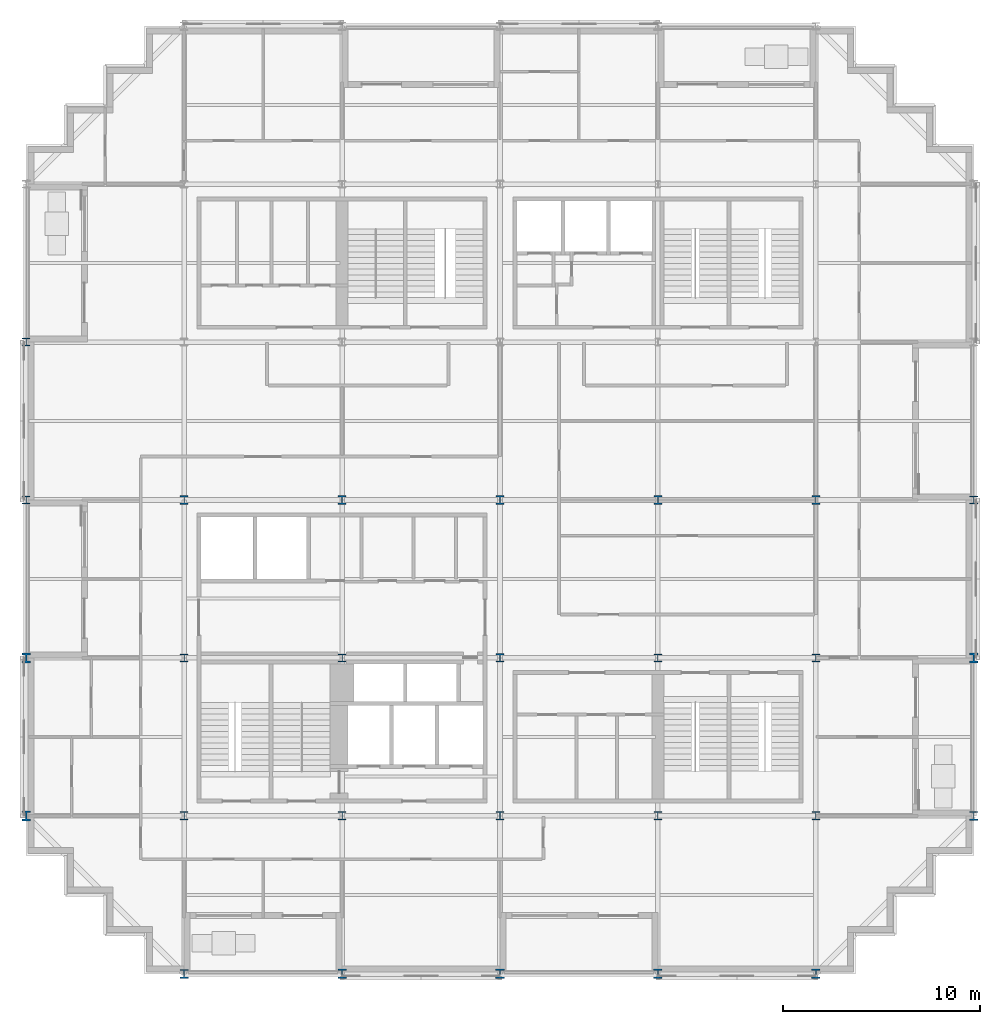
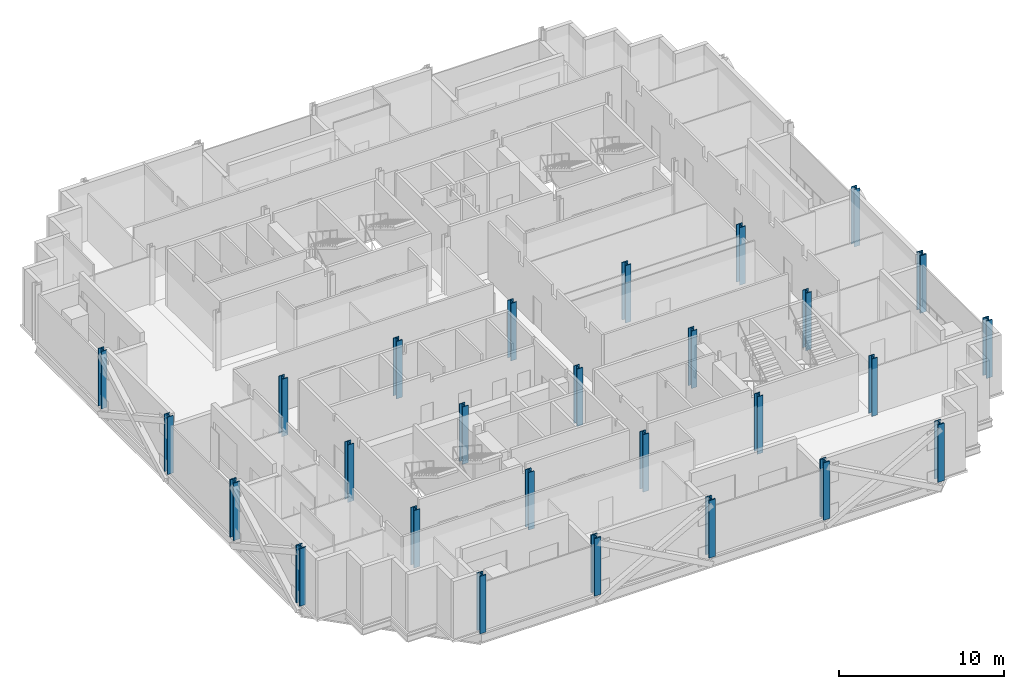
# One storey, part 1 of 15: 27 columns.
"""IFC4 building model written with IfcOpenShell, lengths in metres."""

from ifc_helpers import new_model, si_unit, direction, frame, origin, origin_2d, place, context, subcontext, project, spatial, i_section, extrude, material, material_profile, profile_set, type_object, element, save


model = new_model("IFC4")

# Units and contexts
model_context = context("Model", 3, precision=1e-05, world=origin(), true_north=direction((0.0, 1.0)))
body_context = subcontext(model_context, "Body", "Model", "MODEL_VIEW")
ifc_project = project(units=[si_unit("LENGTHUNIT", "METRE"), si_unit("AREAUNIT", "SQUARE_METRE"), si_unit("VOLUMEUNIT", "CUBIC_METRE"), si_unit("PLANEANGLEUNIT", "RADIAN"), si_unit("MASSUNIT", "GRAM", prefix="KILO")], contexts=[model_context])

# Site, building, storey
site_placement = place(None, origin())
site = spatial("IfcSite", under=ifc_project, at=site_placement, CompositionType="ELEMENT")
building_placement = place(site_placement, origin())
building = spatial("IfcBuilding", under=site, at=building_placement, Name="Immortelle Media Tower", CompositionType="ELEMENT")
storey_placement = place(building_placement, frame((0.0, 0.0, 100.800048828125)))
storey = spatial("IfcBuildingStorey", under=building, at=storey_placement, Name="L19", CompositionType="ELEMENT", Elevation=100.800048828125)

# Columns
ifc_material = material(Name="Steel ASTM A992 Gr 50", Category="steel")
ifc_material_profile_1 = material_profile(ifc_material, i_section(OverallWidth=0.39892578125, OverallDepth=0.385986328125, WebThickness=0.02099609375, FlangeThickness=0.032958984375, at=origin_2d()), Name="W14x176")
ifc_profile_set_1 = profile_set([ifc_material_profile_1], Name="Steel ASTM A992 Gr 50")
column_type_1 = type_object("IfcColumnType", Name="W14x176 column", PredefinedType="COLUMN", material=ifc_profile_set_1)
column_placement = place(storey_placement, frame((48.0, 24.0, 0.0), z_axis=(0.0, 0.0, 1.0), x_axis=(1.0, 0.0, 0.0)))
element("IfcColumn", 1, at=column_placement, inside=storey, type_object=column_type_1, Name="Column 7/D", PredefinedType="COLUMN", context=body_context, shape_type="SweptSolid", body=[
    extrude(i_section(OverallWidth=0.39892578125, OverallDepth=0.385986328125, WebThickness=0.02099609375, FlangeThickness=0.032958984375, at=origin_2d()), origin(), (0.0, 0.0, 1.0), 4.25),
])
ifc_material_profile_2 = material_profile(ifc_material, i_section(OverallWidth=0.406005859375, OverallDepth=0.4169921875, WebThickness=0.030029296875, FlangeThickness=0.048095703125, at=origin_2d()), Name="W14x257")
ifc_profile_set_2 = profile_set([ifc_material_profile_2], Name="Steel ASTM A992 Gr 50")
column_type_2 = type_object("IfcColumnType", Name="W14x257 column", PredefinedType="COLUMN", material=ifc_profile_set_2)
for number, where, z_axis, x_axis, name in (
    (2, (0.0, 24.0, 0.0), (0.0, 0.0, 1.0), (1.0, 0.0, 0.0), "Column 1/D"),
    (3, (0.0, 32.0, 0.0), (0.0, 0.0, 1.0), (1.0, 0.0, 0.0), "Column 1/E"),
    (4, (8.0, 8.0, 0.0), (0.0, 0.0, 1.0), (1.0, 0.0, 0.0), "Column 2/B"),
    (5, (8.0, 16.0, 0.0), (0.0, 0.0, 1.0), (1.0, 0.0, 0.0), "Column 2/C"),
    (6, (16.0, 8.0, 0.0), (0.0, 0.0, 1.0), (1.0, 0.0, 0.0), "Column 3/B"),
    (7, (16.0, 16.0, 0.0), (0.0, 0.0, 1.0), (1.0, 0.0, 0.0), "Column 3/C"),
    (8, (32.0, 8.0, 0.0), (0.0, 0.0, 1.0), (1.0, 0.0, 0.0), "Column 5/B"),
    (9, (32.0, 16.0, 0.0), (0.0, 0.0, 1.0), (1.0, 0.0, 0.0), "Column 5/C"),
    (10, (40.0, 8.0, 0.0), (0.0, 0.0, 1.0), (1.0, 0.0, 0.0), "Column 6/B"),
    (11, (40.0, 16.0, 0.0), (0.0, 0.0, 1.0), (1.0, 0.0, 0.0), "Column 6/C"),
):
    element("IfcColumn", number, at=place(storey_placement, frame(where, z_axis=z_axis, x_axis=x_axis)), inside=storey, type_object=column_type_2, Name=name, PredefinedType="COLUMN", context=body_context, shape_type="SweptSolid", body=[
        extrude(i_section(OverallWidth=0.406005859375, OverallDepth=0.4169921875, WebThickness=0.030029296875, FlangeThickness=0.048095703125, at=origin_2d()), origin(), (0.0, 0.0, 1.0), 4.25),
    ])
ifc_material_profile_3 = material_profile(ifc_material, i_section(OverallWidth=0.410888671875, OverallDepth=0.43408203125, WebThickness=0.035888671875, FlangeThickness=0.056884765625, at=origin_2d()), Name="W14x311")
ifc_profile_set_3 = profile_set([ifc_material_profile_3], Name="Steel ASTM A992 Gr 50")
column_type_3 = type_object("IfcColumnType", Name="W14x311 column", PredefinedType="COLUMN", material=ifc_profile_set_3)
for number, where, z_axis, x_axis, name in (
    (12, (8.0, 24.0, 0.0), (0.0, 0.0, 1.0), (1.0, 0.0, 0.0), "Column 2/D"),
    (13, (16.0, 24.0, 0.0), (0.0, 0.0, 1.0), (1.0, 0.0, 0.0), "Column 3/D"),
    (14, (24.0, 8.0, 0.0), (0.0, 0.0, 1.0), (1.0, 0.0, 0.0), "Column 4/B"),
    (15, (24.0, 16.0, 0.0), (0.0, 0.0, 1.0), (1.0, 0.0, 0.0), "Column 4/C"),
    (16, (24.0, 24.0, 0.0), (0.0, 0.0, 1.0), (1.0, 0.0, 0.0), "Column 4/D"),
    (17, (32.0, 24.0, 0.0), (0.0, 0.0, 1.0), (1.0, 0.0, 0.0), "Column 5/D"),
    (18, (40.0, 24.0, 0.0), (0.0, 0.0, 1.0), (1.0, 0.0, 0.0), "Column 6/D"),
):
    element("IfcColumn", number, at=place(storey_placement, frame(where, z_axis=z_axis, x_axis=x_axis)), inside=storey, type_object=column_type_3, Name=name, PredefinedType="COLUMN", context=body_context, shape_type="SweptSolid", body=[
        extrude(i_section(OverallWidth=0.410888671875, OverallDepth=0.43408203125, WebThickness=0.035888671875, FlangeThickness=0.056884765625, at=origin_2d()), origin(), (0.0, 0.0, 1.0), 4.25),
    ])
ifc_material_profile_4 = material_profile(ifc_material, i_section(OverallWidth=0.4189453125, OverallDepth=0.455078125, WebThickness=0.0419921875, FlangeThickness=0.068115234375, at=origin_2d()), Name="W14x370")
ifc_profile_set_4 = profile_set([ifc_material_profile_4], Name="Steel ASTM A992 Gr 50")
column_type_4 = type_object("IfcColumnType", Name="W14x370 column", PredefinedType="COLUMN", material=ifc_profile_set_4)
for number, where, z_axis, x_axis, name in (
    (19, (8.0, 0.0, 0.0), (0.0, 0.0, 1.0), (1.0, 0.0, 0.0), "Column 2/A"),
    (20, (48.0, 8.0, 0.0), (0.0, 0.0, 1.0), (1.0, 0.0, 0.0), "Column 7/B"),
):
    element("IfcColumn", number, at=place(storey_placement, frame(where, z_axis=z_axis, x_axis=x_axis)), inside=storey, type_object=column_type_4, Name=name, PredefinedType="COLUMN", context=body_context, shape_type="SweptSolid", body=[
        extrude(i_section(OverallWidth=0.4189453125, OverallDepth=0.455078125, WebThickness=0.0419921875, FlangeThickness=0.068115234375, at=origin_2d()), origin(), (0.0, 0.0, 1.0), 4.25),
    ])
ifc_material_profile_5 = material_profile(ifc_material, i_section(OverallWidth=0.431884765625, OverallDepth=0.498046875, WebThickness=0.055908203125, FlangeThickness=0.089111328125, at=origin_2d()), Name="W14x500")
ifc_profile_set_5 = profile_set([ifc_material_profile_5], Name="Steel ASTM A992 Gr 50")
column_type_5 = type_object("IfcColumnType", Name="W14x500 column", PredefinedType="COLUMN", material=ifc_profile_set_5)
for number, where, z_axis, x_axis, name in (
    (21, (0.0, 8.0, 0.0), (0.0, 0.0, 1.0), (1.0, 0.0, 0.0), "Column 1/B"),
    (22, (0.0, 16.0, 0.0), (0.0, 0.0, 1.0), (1.0, 0.0, 0.0), "Column 1/C"),
    (23, (16.0, 0.0, 0.0), (0.0, 0.0, 1.0), (1.0, 0.0, 0.0), "Column 3/A"),
    (24, (24.0, 0.0, 0.0), (0.0, 0.0, 1.0), (1.0, 0.0, 0.0), "Column 4/A"),
    (25, (32.0, 0.0, 0.0), (0.0, 0.0, 1.0), (1.0, 0.0, 0.0), "Column 5/A"),
    (26, (40.0, 0.0, 0.0), (0.0, 0.0, 1.0), (1.0, 0.0, 0.0), "Column 6/A"),
    (27, (48.0, 16.0, 0.0), (0.0, 0.0, 1.0), (1.0, 0.0, 0.0), "Column 7/C"),
):
    element("IfcColumn", number, at=place(storey_placement, frame(where, z_axis=z_axis, x_axis=x_axis)), inside=storey, type_object=column_type_5, Name=name, PredefinedType="COLUMN", context=body_context, shape_type="SweptSolid", body=[
        extrude(i_section(OverallWidth=0.431884765625, OverallDepth=0.498046875, WebThickness=0.055908203125, FlangeThickness=0.089111328125, at=origin_2d()), origin(), (0.0, 0.0, 1.0), 4.25),
    ])

save(model, "model.ifc")
